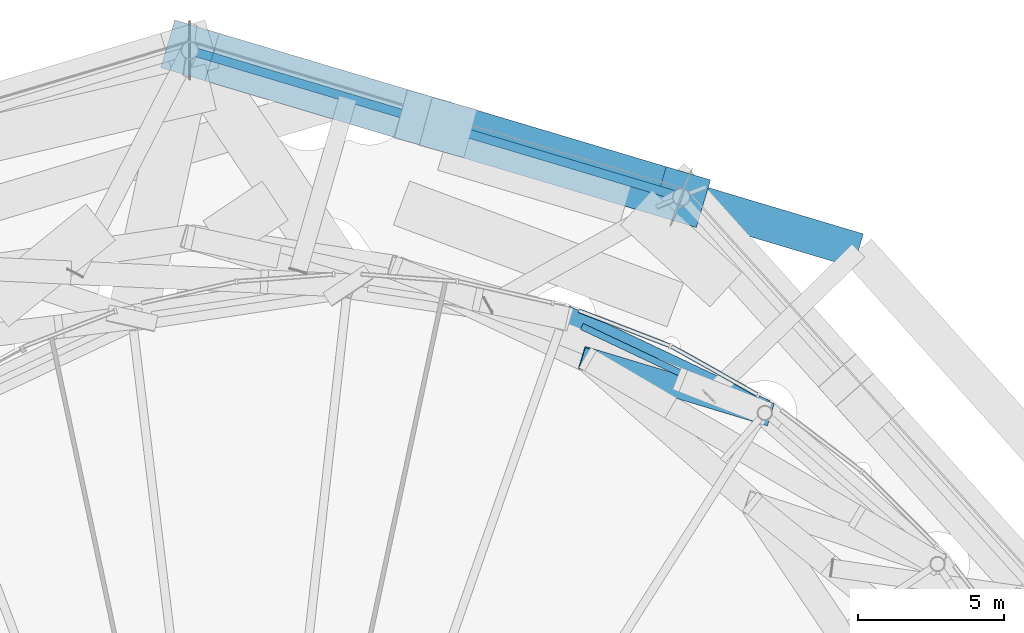
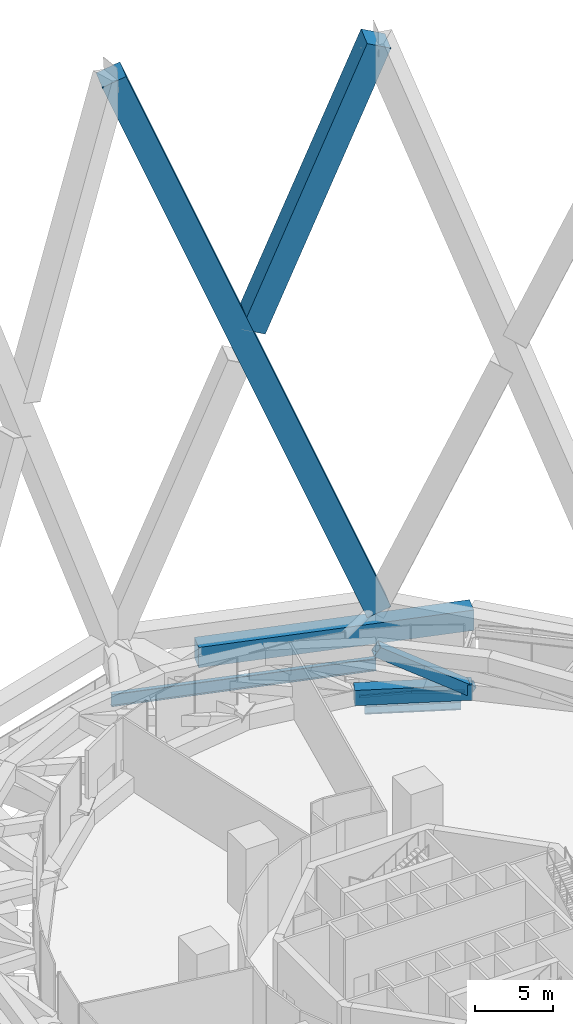
# One storey, part 35 of 51: 5 members, 4 beams, 2 elements without a shape of their own.
"""IFC4 building model written with IfcOpenShell, lengths in metres."""

import ifcopenshell
import ifcopenshell.guid

model = None  # the IFC model being written
_history = None  # IfcOwnerHistory: only IFC2X3 demands one
_inside = {}  # id of a spatial element -> (the spatial element, [elements in it])
_under = {}  # id of a project, library or spatial element -> (it, [spatial elements below it])
_declared = {}  # id of a project -> (the project, [libraries it declares])
_typed = {}  # id of a type object -> (the type object, [elements of that type])
_made_of = {}  # id of a material, layer set ... -> (it, [elements and type objects made of it])


def new_model(schema):
    """Start an empty IFC model of exactly this schema.

    Asked for "IFC4X3", IfcOpenShell would pick the latest addendum, in which some entities
    have other attributes; the version numbers below select the first issue.
    IFC2X3 requires an IfcOwnerHistory on every rooted entity: one is made here for all.
    """
    global model, _history
    if schema == "IFC4X3":
        model = ifcopenshell.file(schema_version=(4, 3, 0, 0))
    else:
        model = ifcopenshell.file(schema=schema)
    _inside.clear()
    _under.clear()
    _declared.clear()
    _typed.clear()
    _made_of.clear()
    _history = None
    if model.schema == "IFC2X3":
        org = make("IfcOrganization", Name="unknown")
        user = make(
            "IfcPersonAndOrganization",
            ThePerson=make("IfcPerson", FamilyName="unknown"),
            TheOrganization=org,
        )
        app = make(
            "IfcApplication",
            ApplicationDeveloper=org,
            Version="unknown",
            ApplicationFullName="unknown",
            ApplicationIdentifier="unknown",
        )
        _history = make(
            "IfcOwnerHistory",
            OwningUser=user,
            OwningApplication=app,
            ChangeAction="ADDED",
            CreationDate=0,
        )
    return model


def make(cls, **values):
    """One entity of the class cls with the attributes given. An attribute that is None is left unset."""
    return model.create_entity(
        cls, **{name: value for name, value in values.items() if value is not None}
    )


def rooted(cls, **values):
    """An entity with a GlobalId (a new one), such as an element, a storey or a relation."""
    return make(cls, GlobalId=ifcopenshell.guid.new(), OwnerHistory=_history, **values)


def si_unit(unit_type, name, prefix=None):
    """IfcSIUnit, for example si_unit("LENGTHUNIT", "METRE", prefix="MILLI")."""
    return make("IfcSIUnit", UnitType=unit_type, Prefix=prefix, Name=name)


def assignment(units):
    """IfcUnitAssignment: the units of a project."""
    return None if units is None else make("IfcUnitAssignment", Units=units)


def point(xyz):
    """IfcCartesianPoint."""
    return None if xyz is None else make("IfcCartesianPoint", Coordinates=xyz)


def direction(xyz):
    """IfcDirection."""
    return None if xyz is None else make("IfcDirection", DirectionRatios=xyz)


def frame(location, z_axis=None, x_axis=None):
    """IfcAxis2Placement3D, a coordinate frame: its origin and axes. An axis left out is left unset."""
    return make(
        "IfcAxis2Placement3D",
        Location=point(location),
        Axis=direction(z_axis),
        RefDirection=direction(x_axis),
    )


def frame_2d(location, x_axis=None):
    """IfcAxis2Placement2D, a coordinate frame in the plane: its origin and x axis."""
    return make(
        "IfcAxis2Placement2D", Location=point(location), RefDirection=direction(x_axis)
    )


def origin():
    """The frame at (0, 0, 0) with its axes left unset."""
    return frame((0.0, 0.0, 0.0))


def origin_2d():
    """The frame at (0, 0) in the plane with its x axis left unset."""
    return frame_2d((0.0, 0.0))


def place(relative_to, where):
    """IfcLocalPlacement: puts the frame where relative to a parent placement (None: the world)."""
    return make(
        "IfcLocalPlacement", PlacementRelTo=relative_to, RelativePlacement=where
    )


def context(
    kind, dimensions, precision=None, world=None, true_north=None, identifier=None
):
    """IfcGeometricRepresentationContext, for example the 3D "Model" context."""
    return make(
        "IfcGeometricRepresentationContext",
        ContextIdentifier=identifier,
        ContextType=kind,
        CoordinateSpaceDimension=dimensions,
        Precision=precision,
        WorldCoordinateSystem=world,
        TrueNorth=true_north,
    )


def subcontext(parent, identifier, kind, view, scale=None):
    """IfcGeometricRepresentationSubContext, for example "Body" below "Model"."""
    return make(
        "IfcGeometricRepresentationSubContext",
        ContextIdentifier=identifier,
        ContextType=kind,
        ParentContext=parent,
        TargetScale=scale,
        TargetView=view,
    )


def project(units=None, contexts=None):
    """IfcProject with its units and contexts."""
    return rooted(
        "IfcProject",
        Name="project",
        RepresentationContexts=contexts,
        UnitsInContext=assignment(units),
    )


def spatial(cls, under=None, at=None, **own):
    """A site, building, storey or space (cls), placed at a placement, below another one or the project."""
    s = rooted(cls, ObjectPlacement=at, **own)
    if under is not None:
        _under.setdefault(under.id(), (under, []))[1].append(s)
    return s


def profile(cls, at=None, kind="AREA", **sizes):
    """A parametric profile (cls). Its sizes go by their IFC names, for example OverallWidth=200.0."""
    return make(cls, ProfileType=kind, Position=at, **sizes)


def rectangle(**sizes):
    """IfcRectangleProfileDef."""
    return profile("IfcRectangleProfileDef", **sizes)


def hollow_rectangle(**sizes):
    """IfcRectangleHollowProfileDef."""
    return profile("IfcRectangleHollowProfileDef", **sizes)


def i_section(**sizes):
    """IfcIShapeProfileDef."""
    return profile("IfcIShapeProfileDef", **sizes)


def extrude(swept, where, along, depth):
    """IfcExtrudedAreaSolid: the profile swept, set in the frame where, extruded along a direction by depth."""
    return make(
        "IfcExtrudedAreaSolid",
        SweptArea=swept,
        Position=where,
        ExtrudedDirection=direction(along),
        Depth=depth,
    )


def shape(context_of_items, identifier, shape_type, items):
    """IfcShapeRepresentation: the items that make up one representation, for example the "Body"."""
    return make(
        "IfcShapeRepresentation",
        ContextOfItems=context_of_items,
        RepresentationIdentifier=identifier,
        RepresentationType=shape_type,
        Items=items,
    )


def material(Name=None, Category=None):
    """IfcMaterial."""
    return make("IfcMaterial", Name=Name, Category=Category)


def layer(
    of_material, thickness, ventilated=None, Name=None, Category=None, Priority=None
):
    """IfcMaterialLayer: one layer of a wall or slab, of a material (None: an air gap)."""
    return make(
        "IfcMaterialLayer",
        Material=of_material,
        LayerThickness=thickness,
        IsVentilated=ventilated,
        Name=Name,
        Category=Category,
        Priority=Priority,
    )


def layer_set(layers, Name=None):
    """IfcMaterialLayerSet."""
    return make("IfcMaterialLayerSet", MaterialLayers=layers, LayerSetName=Name)


def material_profile(
    of_material, cross_section, Name=None, Category=None, Priority=None
):
    """IfcMaterialProfile: a cross section and its material."""
    return make(
        "IfcMaterialProfile",
        Name=Name,
        Material=of_material,
        Profile=cross_section,
        Priority=Priority,
        Category=Category,
    )


def profile_set(profiles, Name=None, composite=None):
    """IfcMaterialProfileSet."""
    return make(
        "IfcMaterialProfileSet",
        Name=Name,
        MaterialProfiles=profiles,
        CompositeProfile=composite,
    )


def made_of(thing, what):
    """Note that an element or type object is made of a material, layer set ...; save() writes the relation."""
    if what is not None:
        _made_of.setdefault(what.id(), (what, []))[1].append(thing)
    return thing


def type_object(cls, material=None, **own):
    """A type object (cls), such as IfcWallType, which elements share."""
    return made_of(rooted(cls, **own), material)


def element(
    cls,
    number,
    at=None,
    inside=None,
    cuts=None,
    type_object=None,
    material=None,
    context=None,
    identifier="Body",
    shape_type=None,
    held_by="IfcProductDefinitionShape",
    body=None,
    shapes=None,
    **own,
):
    """One element of the class cls, such as IfcWall. Its Tag is "e" and its number.

    at: its placement. inside: the storey or other place that contains it. cuts: it is an
    opening in that element (IfcRelVoidsElement). A single representation is given by context,
    identifier, shape_type and body (its items); several are given by shapes. held_by: the class
    of the entity that holds the representations. save() writes the other relations.
    """
    e = rooted(cls, Tag="e%d" % number, ObjectPlacement=at, **own)
    if body is not None:
        shapes = [shape(context, identifier, shape_type, body)]
    if shapes is not None:
        e.Representation = make(held_by, Representations=shapes)
    if inside is not None:
        _inside.setdefault(inside.id(), (inside, []))[1].append(e)
    if cuts is not None:
        rooted(
            "IfcRelVoidsElement", RelatingBuildingElement=cuts, RelatedOpeningElement=e
        )
    if type_object is not None:
        _typed.setdefault(type_object.id(), (type_object, []))[1].append(e)
    return made_of(e, material)


def aggregate(whole, parts):
    """IfcRelAggregates: a whole, such as a stair, and the parts it consists of."""
    return rooted("IfcRelAggregates", RelatingObject=whole, RelatedObjects=parts)


def save(model, path):
    """Write the relations noted so far, then the file.

    IfcRelAggregates (storeys below a building ...), IfcRelContainedInSpatialStructure (elements
    in a storey), IfcRelDefinesByType, IfcRelAssociatesMaterial and IfcRelDeclares: one each for
    every whole, place, type object, material and project.
    """
    for whole, parts in _under.values():
        aggregate(whole, parts)
    for where, things in _inside.values():
        rooted(
            "IfcRelContainedInSpatialStructure",
            RelatedElements=things,
            RelatingStructure=where,
        )
    for kind, things in _typed.values():
        rooted("IfcRelDefinesByType", RelatedObjects=things, RelatingType=kind)
    for what, things in _made_of.values():
        rooted("IfcRelAssociatesMaterial", RelatedObjects=things, RelatingMaterial=what)
    for by, libraries in _declared.values():
        rooted("IfcRelDeclares", RelatingContext=by, RelatedDefinitions=libraries)
    model.write(path)


model = new_model("IFC4")

# Units and contexts
model_context = context("Model", 3, precision=1e-05, world=origin(), true_north=direction((0.0, 1.0)))
body_context = subcontext(model_context, "Body", "Model", "MODEL_VIEW")
ifc_project = project(units=[si_unit("LENGTHUNIT", "METRE"), si_unit("AREAUNIT", "SQUARE_METRE"), si_unit("VOLUMEUNIT", "CUBIC_METRE"), si_unit("PLANEANGLEUNIT", "RADIAN"), si_unit("MASSUNIT", "GRAM", prefix="KILO")], contexts=[model_context])

# Site, building, storey
site_placement = place(None, origin())
site = spatial("IfcSite", under=ifc_project, at=site_placement, CompositionType="ELEMENT")
building_placement = place(site_placement, origin())
building = spatial("IfcBuilding", under=site, at=building_placement, Name="Nagisa Residences", CompositionType="ELEMENT")
storey_placement = place(building_placement, frame((0.0, 0.0, 67.699951171875)))
storey = spatial("IfcBuildingStorey", under=building, at=storey_placement, Name="L16", CompositionType="ELEMENT", Elevation=67.699951171875)

# Beams
ifc_material_1 = material(Name="Steel ASTM A572 Gr 50", Category="steel")
ifc_material_profile_1 = material_profile(ifc_material_1, hollow_rectangle(XDim=0.89990234375, YDim=1.199951171875, WallThickness=0.050048828125, at=origin_2d()), Name="BX 900x1200x50")
ifc_profile_set_1 = profile_set([ifc_material_profile_1], Name="Steel ASTM A572 Gr 50")
beam_type_1 = type_object("IfcBeamType", Name="Belt chord 1 BX 900x1200x50", PredefinedType="BEAM", material=ifc_profile_set_1)
beam_1_placement = place(storey_placement, frame((17.85009765625, 28.145751953125, 0.60009765625), z_axis=(-0.904204207344, 0.427100399697, 0.0), x_axis=(-0.427100399697, -0.904204207344, 0.0)))
element("IfcBeam", 1, at=beam_1_placement, inside=storey, type_object=beam_type_1, Name="beam:L16:bt1b05", PredefinedType="BEAM", context=body_context, shape_type="SweptSolid", body=[
    extrude(hollow_rectangle(XDim=0.89990234375, YDim=1.199951171875, WallThickness=0.050048828125, at=origin_2d()), origin(), (0.0, 0.0, 1.0), 7.60205078125),
])
ifc_material_2 = material(Name="Steel ASTM A572 Gr 50", Category="steel")
ifc_material_profile_2 = material_profile(ifc_material_2, hollow_rectangle(XDim=0.800048828125, YDim=0.800048828125, WallThickness=0.044921875, at=origin_2d()), Name="BX 800x800x45")
ifc_profile_set_2 = profile_set([ifc_material_profile_2], Name="Steel ASTM A572 Gr 50")
beam_type_2 = type_object("IfcBeamType", Name="Belt diagonal 1 BX 800x800x45", PredefinedType="BEAM", material=ifc_profile_set_2)
beam_2_placement = place(storey_placement, frame((17.85009765625, 28.145751953125, 0.60009765625), z_axis=(-0.800781768174, 0.242356726498, 0.547733308173), x_axis=(-0.289674129941, -0.957125330583, 0.0)))
element("IfcBeam", 2, at=beam_2_placement, inside=storey, type_object=beam_type_2, Name="beam:L16:bt1da05", PredefinedType="BEAM", context=body_context, shape_type="SweptSolid", body=[
    extrude(hollow_rectangle(XDim=0.800048828125, YDim=0.800048828125, WallThickness=0.044921875, at=origin_2d()), origin(), (0.0, 0.0, 1.0), 7.55810546875),
])

# Curtain wall, member
ifc_material_3 = material(Name="Aluminium curtain wall system", Category="aluminium")
ifc_layer = layer(ifc_material_3, 0.159912109375)
ifc_layer_set = layer_set([ifc_layer], Name="CW2 CURTAIN WALL")
curtain_wall_type = type_object("IfcCurtainWallType", Name="CW2 CURTAIN WALL", PredefinedType="NOTDEFINED", material=ifc_layer_set)
curtain_wall_1_placement = place(storey_placement, origin())
curtain_wall_1 = element("IfcCurtainWall", 3, at=curtain_wall_1_placement, inside=storey, type_object=curtain_wall_type, Name="cw:CW2:L16:08", PredefinedType="NOTDEFINED")
ifc_material_4 = material(Name="Aluminium", Category="aluminium")
ifc_material_profile_3 = material_profile(ifc_material_4, rectangle(XDim=0.139892578125, YDim=0.179931640625, at=origin_2d()), Name="CW2 TRANSOM 140x180")
ifc_profile_set_3 = profile_set([ifc_material_profile_3], Name="Aluminium")
member_type_1 = type_object("IfcMemberType", Name="CW2 TRANSOM 140x180", PredefinedType="USERDEFINED", material=ifc_profile_set_3)
member_1_placement = place(storey_placement, frame((17.66845703125, 28.729248046875, 0.090087890625), z_axis=(-0.872073829529, 0.489374331009, 0.0), x_axis=(-0.489374331009, -0.872073829529, 0.0)))
member_1 = element("IfcMember", 4, at=member_1_placement, type_object=member_type_1, Name="CW2 transom", ObjectType="TRANSOM", PredefinedType="USERDEFINED", context=body_context, shape_type="SweptSolid", body=[
    extrude(rectangle(XDim=0.139892578125, YDim=0.179931640625, at=origin_2d()), origin(), (0.0, 0.0, 1.0), 3.451171875),
])
aggregate(curtain_wall_1, [member_1])

curtain_wall_2_placement = place(storey_placement, origin())
curtain_wall_2 = element("IfcCurtainWall", 5, at=curtain_wall_2_placement, inside=storey, type_object=curtain_wall_type, Name="cw:CW2:L16:09", PredefinedType="NOTDEFINED")
member_2_placement = place(storey_placement, frame((14.6689453125, 30.413330078125, 0.090087890625), z_axis=(-0.932832137481, 0.36031125889, 0.0), x_axis=(-0.36031125889, -0.932832137481, 0.0)))
member_2 = element("IfcMember", 6, at=member_2_placement, type_object=member_type_1, Name="CW2 transom", ObjectType="TRANSOM", PredefinedType="USERDEFINED", context=body_context, shape_type="SweptSolid", body=[
    extrude(rectangle(XDim=0.139892578125, YDim=0.179931640625, at=origin_2d()), origin(), (0.0, 0.0, 1.0), 3.40087890625),
])
aggregate(curtain_wall_2, [member_2])

# Members
ifc_material_5 = material(Name="Concrete C80", Category="concrete")
ifc_material_profile_4 = material_profile(ifc_material_5, rectangle(XDim=1.699951171875, YDim=1.699951171875, at=origin_2d()), Name="C80 1700x1700")
ifc_profile_set_4 = profile_set([ifc_material_profile_4], Name="Concrete C80")
member_type_2 = type_object("IfcMemberType", Name="Cage diagonal 2 C80 1700x1700", PredefinedType="BRACE", material=ifc_profile_set_4)
member_3_placement = place(storey_placement, frame((14.99755859375, 35.52001953125, 3.699951171875), z_axis=(-0.351207182581, 0.104806271133, 0.930413435218), x_axis=(-0.285956126185, -0.958242711372, 0.0)))
element("IfcMember", 7, at=member_3_placement, inside=storey, type_object=member_type_2, Name="mem:L16:cg2d005", PredefinedType="BRACE", context=body_context, shape_type="SweptSolid", body=[
    extrude(rectangle(XDim=1.699951171875, YDim=1.699951171875, at=origin_2d()), origin(), (0.0, 0.0, 1.0), 47.828125),
])
member_4_placement = place(storey_placement, frame((7.029541015625, 37.89794921875, 27.091064453125), z_axis=(0.351205238436, -0.104811686808, 0.930413559017), x_axis=(0.285971147664, 0.958238228575, 0.0)))
element("IfcMember", 8, at=member_4_placement, inside=storey, type_object=member_type_2, Name="mem:L16:cg2d006b", PredefinedType="BRACE", context=body_context, shape_type="SweptSolid", body=[
    extrude(rectangle(XDim=1.699951171875, YDim=1.699951171875, at=origin_2d()), origin(), (0.0, 0.0, 1.0), 22.687744140625),
])
ifc_material_6 = material(Name="Concrete C80", Category="concrete")
ifc_material_profile_5 = material_profile(ifc_material_6, rectangle(XDim=1.199951171875, YDim=1.60009765625, at=origin_2d()), Name="C80 1200x1600")
ifc_profile_set_5 = profile_set([ifc_material_profile_5], Name="Concrete C80")
member_type_3 = type_object("IfcMemberType", Name="Cage ring 1 C80 1200x1600", PredefinedType="CHORD", material=ifc_profile_set_5)
member_5_placement = place(storey_placement, frame((21.050048828125, 33.6884765625, 1.900146484375), z_axis=(-0.958181603798, 0.286160818673, 0.0), x_axis=(-0.286160818673, -0.958181603798, 0.0)))
element("IfcMember", 9, at=member_5_placement, inside=storey, type_object=member_type_3, Name="beam:L16:cg1r203", PredefinedType="CHORD", context=body_context, shape_type="SweptSolid", body=[
    extrude(rectangle(XDim=1.199951171875, YDim=1.60009765625, at=origin_2d()), origin(), (0.0, 0.0, 1.0), 18.21142578125),
])

# Beams
ifc_material_7 = material(Name="Steel ASTM A572 Gr 50", Category="steel")
ifc_material_profile_6 = material_profile(ifc_material_7, i_section(OverallWidth=0.300048828125, OverallDepth=0.97998046875, WebThickness=0.0166015625, FlangeThickness=0.02587890625, at=origin_2d()), Name="W1000x249")
ifc_profile_set_6 = profile_set([ifc_material_profile_6], Name="Steel ASTM A572 Gr 50")
beam_type_3 = type_object("IfcBeamType", Name="Deck edge beam W1000x249", PredefinedType="BEAM", material=ifc_profile_set_6)
beam_3_placement = place(storey_placement, frame((14.99755859375, 35.52001953125, -0.889892578125), z_axis=(-0.958242711372, 0.285956126185, 0.0), x_axis=(-0.285956126185, -0.958242711372, 0.0)))
element("IfcBeam", 10, at=beam_3_placement, inside=storey, type_object=beam_type_3, Name="beam:L16:deckedge03", PredefinedType="BEAM", context=body_context, shape_type="SweptSolid", body=[
    extrude(i_section(OverallWidth=0.300048828125, OverallDepth=0.97998046875, WebThickness=0.0166015625, FlangeThickness=0.02587890625, at=origin_2d()), origin(), (0.0, 0.0, 1.0), 17.529541015625),
])
ifc_material_8 = material(Name="Steel ASTM A572 Gr 50", Category="steel")
ifc_material_profile_7 = material_profile(ifc_material_8, i_section(OverallWidth=0.22900390625, OverallDepth=0.612060546875, WebThickness=0.011962890625, FlangeThickness=0.01953125, at=origin_2d()), Name="W610x125")
ifc_profile_set_7 = profile_set([ifc_material_profile_7], Name="Steel ASTM A572 Gr 50")
beam_type_4 = type_object("IfcBeamType", Name="Perimeter ring beam W610x125", PredefinedType="BEAM", material=ifc_profile_set_7)
beam_4_placement = place(storey_placement, frame((17.22900390625, 28.439208984375, -0.656005859375), z_axis=(-0.904215426643, 0.427076646774, 0.0), x_axis=(-0.427076646774, -0.904215426643, 0.0)))
element("IfcBeam", 11, at=beam_4_placement, inside=storey, type_object=beam_type_4, Name="beam:L16:pb05", PredefinedType="BEAM", context=body_context, shape_type="SweptSolid", body=[
    extrude(i_section(OverallWidth=0.22900390625, OverallDepth=0.612060546875, WebThickness=0.011962890625, FlangeThickness=0.01953125, at=origin_2d()), origin(), (0.0, 0.0, 1.0), 6.2275390625),
])

save(model, "model.ifc")
